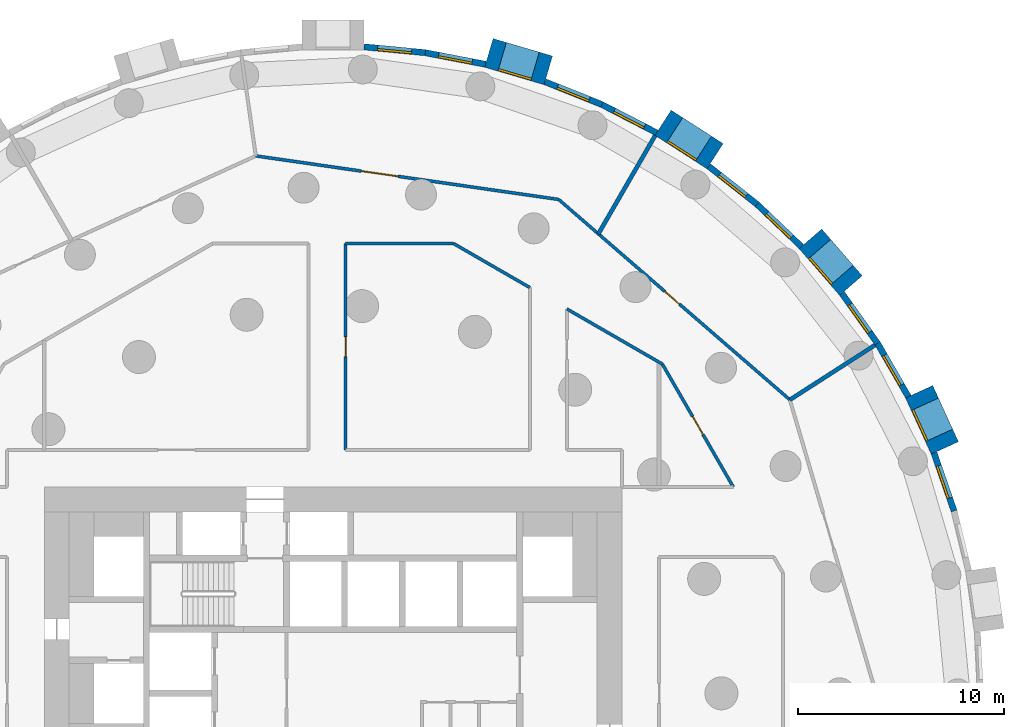
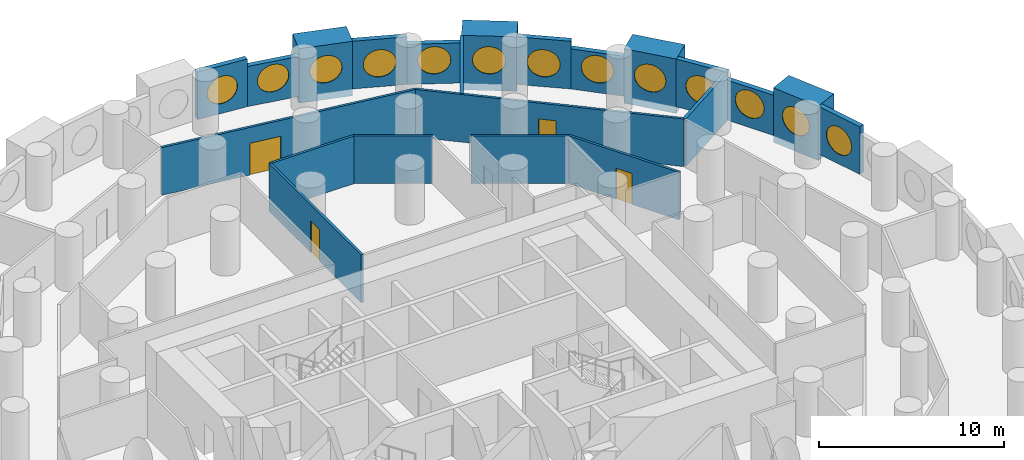
# One storey, part 9 of 11: 22 walls, 13 windows, 4 doors, 17 openings.
"""IFC4 building model written with IfcOpenShell, lengths in metres."""

from ifc_helpers import new_model, si_unit, direction, frame, frame_2d, origin, origin_2d, place, context, subcontext, project, spatial, rectangle, circle, extrude, material, layer, layer_set, type_object, element, fill, save


model = new_model("IFC4")

# Units and contexts
model_context = context("Model", 3, precision=1e-05, world=origin(), true_north=direction((0.0, 1.0)))
body_context = subcontext(model_context, "Body", "Model", "MODEL_VIEW")
ifc_project = project(units=[si_unit("LENGTHUNIT", "METRE"), si_unit("AREAUNIT", "SQUARE_METRE"), si_unit("VOLUMEUNIT", "CUBIC_METRE"), si_unit("PLANEANGLEUNIT", "RADIAN"), si_unit("MASSUNIT", "GRAM", prefix="KILO")], contexts=[model_context])

# Site, building, storey
site_placement = place(None, origin())
site = spatial("IfcSite", under=ifc_project, at=site_placement, CompositionType="ELEMENT")
building_placement = place(site_placement, origin())
building = spatial("IfcBuilding", under=site, at=building_placement, Name="Tracery Tower", CompositionType="ELEMENT")
storey_placement = place(building_placement, frame((0.0, 0.0, 60.60009765625)))
storey = spatial("IfcBuildingStorey", under=building, at=storey_placement, Name="L14", CompositionType="ELEMENT", Elevation=60.60009765625)

# Wall, opening, window
ifc_material_1 = material(Name="Precast concrete C50/60", Category="concrete")
ifc_layer_1 = layer(ifc_material_1, 1.449951171875)
ifc_layer_set_1 = layer_set([ifc_layer_1], Name="Deep-set bay unit 3000 x 3600, slab edge 450")
wall_type_1 = type_object("IfcWallType", Name="Deep-set bay unit 3000 x 3600, slab edge 450", PredefinedType="ELEMENTEDWALL", material=ifc_layer_set_1)
wall_1_placement = place(storey_placement, frame((29.653076171875, 11.89306640625, -0.4501953125), z_axis=(0.0, 0.0, 1.0), x_axis=(-0.415427028395, 0.909626508012, 0.0)))
wall_1 = element("IfcWall", 1, at=wall_1_placement, inside=storey, type_object=wall_type_1, Name="Deep-set bay unit 5 at L14", PredefinedType="ELEMENTEDWALL", context=body_context, shape_type="SweptSolid", body=[
    extrude(rectangle(XDim=3.000244140625, YDim=1.449951171875, at=frame_2d((1.5, 0.0))), origin(), (0.0, 0.0, 1.0), 3.60009765625),
])
opening_1_placement = place(wall_1_placement, frame((1.5, 0.0, 2.0)))
opening_1 = element("IfcOpeningElement", 2, at=opening_1_placement, cuts=wall_1, Name="Opening WN1", PredefinedType="OPENING", context=body_context, shape_type="SweptSolid", body=[
    extrude(circle(Radius=0.9000244140625, at=origin_2d()), frame((0.0, 0.73486328125, 0.0), z_axis=(0.0, -1.0, 0.0), x_axis=(1.0, 0.0, 0.0)), (0.0, 0.0, 1.0), 1.469970703125),
])
ifc_material_2 = material(Name="Aluminium frame with tinted double glazing", Category="aluminium")
window_type = type_object("IfcWindowType", Name="Round window 1800", PartitioningType="SINGLE_PANEL", PredefinedType="WINDOW", material=ifc_material_2)
window_1_placement = place(opening_1_placement, origin())
window_1 = element("IfcWindow", 3, at=window_1_placement, inside=storey, type_object=window_type, Name="Round window 5 at L14", OverallHeight=1.800048828125, OverallWidth=1.800048828125, PartitioningType="SINGLE_PANEL", PredefinedType="WINDOW", context=body_context, shape_type="SweptSolid", body=[
    extrude(circle(Radius=0.9000244140625, at=origin_2d()), frame((0.0, 0.69482421875, 0.0), z_axis=(0.0, -1.0, 0.0), x_axis=(1.0, 0.0, 0.0)), (0.0, 0.0, 1.0), 0.10009765625),
])
fill(opening_1, window_1)

wall_2_placement = place(storey_placement, frame((25.101318359375, 19.765625, -0.4501953125), z_axis=(0.0, 0.0, 1.0), x_axis=(-0.654890259022, 0.75572398972, 0.0)))
wall_2 = element("IfcWall", 4, at=wall_2_placement, inside=storey, type_object=wall_type_1, Name="Deep-set bay unit 8 at L14", PredefinedType="ELEMENTEDWALL", context=body_context, shape_type="SweptSolid", body=[
    extrude(rectangle(XDim=3.0, YDim=1.449951171875, at=frame_2d((1.5, 0.0))), origin(), (0.0, 0.0, 1.0), 3.60009765625),
])
opening_2_placement = place(wall_2_placement, frame((1.5, 0.0, 2.0)))
opening_2 = element("IfcOpeningElement", 5, at=opening_2_placement, cuts=wall_2, Name="Opening WN1", PredefinedType="OPENING", context=body_context, shape_type="SweptSolid", body=[
    extrude(circle(Radius=0.9000244140625, at=origin_2d()), frame((0.0, 0.73486328125, 0.0), z_axis=(0.0, -1.0, 0.0), x_axis=(1.0, 0.0, 0.0)), (0.0, 0.0, 1.0), 1.469970703125),
])
window_2_placement = place(opening_2_placement, origin())
window_2 = element("IfcWindow", 6, at=window_2_placement, inside=storey, type_object=window_type, Name="Round window 8 at L14", OverallHeight=1.800048828125, OverallWidth=1.800048828125, PartitioningType="SINGLE_PANEL", PredefinedType="WINDOW", context=body_context, shape_type="SweptSolid", body=[
    extrude(circle(Radius=0.9000244140625, at=origin_2d()), frame((0.0, 0.69482421875, 0.0), z_axis=(0.0, -1.0, 0.0), x_axis=(1.0, 0.0, 0.0)), (0.0, 0.0, 1.0), 0.10009765625),
])
fill(opening_2, window_2)

wall_3_placement = place(storey_placement, frame((18.515869140625, 26.03662109375, -0.4501953125), z_axis=(0.0, 0.0, 1.0), x_axis=(-0.841223422347, 0.540687667415, 0.0)))
wall_3 = element("IfcWall", 7, at=wall_3_placement, inside=storey, type_object=wall_type_1, Name="Deep-set bay unit 11 at L14", PredefinedType="ELEMENTEDWALL", context=body_context, shape_type="SweptSolid", body=[
    extrude(rectangle(XDim=3.0, YDim=1.449951171875, at=frame_2d((1.5, 0.0))), origin(), (0.0, 0.0, 1.0), 3.60009765625),
])
opening_3_placement = place(wall_3_placement, frame((1.5, 0.0, 2.0)))
opening_3 = element("IfcOpeningElement", 8, at=opening_3_placement, cuts=wall_3, Name="Opening WN1", PredefinedType="OPENING", context=body_context, shape_type="SweptSolid", body=[
    extrude(circle(Radius=0.9000244140625, at=origin_2d()), frame((0.0, 0.73486328125, 0.0), z_axis=(0.0, -1.0, 0.0), x_axis=(1.0, 0.0, 0.0)), (0.0, 0.0, 1.0), 1.469970703125),
])
window_3_placement = place(opening_3_placement, origin())
window_3 = element("IfcWindow", 9, at=window_3_placement, inside=storey, type_object=window_type, Name="Round window 11 at L14", OverallHeight=1.800048828125, OverallWidth=1.800048828125, PartitioningType="SINGLE_PANEL", PredefinedType="WINDOW", context=body_context, shape_type="SweptSolid", body=[
    extrude(circle(Radius=0.9000244140625, at=origin_2d()), frame((0.0, 0.69482421875, 0.0), z_axis=(0.0, -1.0, 0.0), x_axis=(1.0, 0.0, 0.0)), (0.0, 0.0, 1.0), 0.10009765625),
])
fill(opening_3, window_3)

wall_4_placement = place(storey_placement, frame((10.430419921875, 30.198486328125, -0.4501953125), z_axis=(0.0, 0.0, 1.0), x_axis=(-0.959489813418, 0.281743319258, 0.0)))
wall_4 = element("IfcWall", 10, at=wall_4_placement, inside=storey, type_object=wall_type_1, Name="Deep-set bay unit 14 at L14", PredefinedType="ELEMENTEDWALL", context=body_context, shape_type="SweptSolid", body=[
    extrude(rectangle(XDim=3.0, YDim=1.449951171875, at=frame_2d((1.5, 0.0))), origin(), (0.0, 0.0, 1.0), 3.60009765625),
])
opening_4_placement = place(wall_4_placement, frame((1.5, 0.0, 2.0)))
opening_4 = element("IfcOpeningElement", 11, at=opening_4_placement, cuts=wall_4, Name="Opening WN1", PredefinedType="OPENING", context=body_context, shape_type="SweptSolid", body=[
    extrude(circle(Radius=0.9000244140625, at=origin_2d()), frame((0.0, 0.73486328125, 0.0), z_axis=(0.0, -1.0, 0.0), x_axis=(1.0, 0.0, 0.0)), (0.0, 0.0, 1.0), 1.469970703125),
])
window_4_placement = place(opening_4_placement, origin())
window_4 = element("IfcWindow", 12, at=window_4_placement, inside=storey, type_object=window_type, Name="Round window 14 at L14", OverallHeight=1.800048828125, OverallWidth=1.800048828125, PartitioningType="SINGLE_PANEL", PredefinedType="WINDOW", context=body_context, shape_type="SweptSolid", body=[
    extrude(circle(Radius=0.9000244140625, at=origin_2d()), frame((0.0, 0.69482421875, 0.0), z_axis=(0.0, -1.0, 0.0), x_axis=(1.0, 0.0, 0.0)), (0.0, 0.0, 1.0), 0.10009765625),
])
fill(opening_4, window_4)

ifc_material_3 = material(Name="Precast concrete C50/60", Category="concrete")
ifc_layer_2 = layer(ifc_material_3, 0.300048828125)
ifc_layer_set_2 = layer_set([ifc_layer_2], Name="Facade panel 3000 x 2650")
wall_type_2 = type_object("IfcWallType", Name="Facade panel 3000 x 2650", PredefinedType="SOLIDWALL", material=ifc_layer_set_2)
wall_5_placement = place(storey_placement, frame((27.8837890625, 14.3818359375, 0.0), z_axis=(0.0, 0.0, 1.0), x_axis=(-0.500025049464, 0.866010940986, 0.0)))
wall_5 = element("IfcWall", 13, at=wall_5_placement, inside=storey, type_object=wall_type_2, Name="Facade panel 6 at L14", PredefinedType="SOLIDWALL", context=body_context, shape_type="SweptSolid", body=[
    extrude(rectangle(XDim=2.979736328125, YDim=0.300048828125, at=frame_2d((1.48974609375, 0.0))), origin(), (0.0, 0.0, 1.0), 2.64990234375),
])
opening_5_placement = place(wall_5_placement, frame((1.48974609375, 0.0, 1.5498046875)))
opening_5 = element("IfcOpeningElement", 14, at=opening_5_placement, cuts=wall_5, Name="Opening WN1", PredefinedType="OPENING", context=body_context, shape_type="SweptSolid", body=[
    extrude(circle(Radius=0.9000244140625, at=origin_2d()), frame((0.0, 0.159912109375, 0.0), z_axis=(0.0, -1.0, 0.0), x_axis=(1.0, 0.0, 0.0)), (0.0, 0.0, 1.0), 0.320068359375),
])
window_5_placement = place(opening_5_placement, origin())
window_5 = element("IfcWindow", 15, at=window_5_placement, inside=storey, type_object=window_type, Name="Round window 6 at L14", OverallHeight=1.800048828125, OverallWidth=1.800048828125, PartitioningType="SINGLE_PANEL", PredefinedType="WINDOW", context=body_context, shape_type="SweptSolid", body=[
    extrude(circle(Radius=0.9000244140625, at=origin_2d()), frame((0.0, 0.1201171875, 0.0), z_axis=(0.0, -1.0, 0.0), x_axis=(1.0, 0.0, 0.0)), (0.0, 0.0, 1.0), 0.10009765625),
])
fill(opening_5, window_5)

wall_6_placement = place(storey_placement, frame((22.702392578125, 21.655029296875, 0.0), z_axis=(0.0, 0.0, 1.0), x_axis=(-0.723744206617, 0.690068346896, 0.0)))
wall_6 = element("IfcWall", 16, at=wall_6_placement, inside=storey, type_object=wall_type_2, Name="Facade panel 9 at L14", PredefinedType="SOLIDWALL", context=body_context, shape_type="SweptSolid", body=[
    extrude(rectangle(XDim=2.979736328125, YDim=0.300048828125, at=frame_2d((1.48974609375, 0.0))), origin(), (0.0, 0.0, 1.0), 2.64990234375),
])
opening_6_placement = place(wall_6_placement, frame((1.48974609375, 0.0, 1.5498046875)))
opening_6 = element("IfcOpeningElement", 17, at=opening_6_placement, cuts=wall_6, Name="Opening WN1", PredefinedType="OPENING", context=body_context, shape_type="SweptSolid", body=[
    extrude(circle(Radius=0.9000244140625, at=origin_2d()), frame((0.0, 0.159912109375, 0.0), z_axis=(0.0, -1.0, 0.0), x_axis=(1.0, 0.0, 0.0)), (0.0, 0.0, 1.0), 0.320068359375),
])
window_6_placement = place(opening_6_placement, origin())
window_6 = element("IfcWindow", 18, at=window_6_placement, inside=storey, type_object=window_type, Name="Round window 9 at L14", OverallHeight=1.800048828125, OverallWidth=1.800048828125, PartitioningType="SINGLE_PANEL", PredefinedType="WINDOW", context=body_context, shape_type="SweptSolid", body=[
    extrude(circle(Radius=0.9000244140625, at=origin_2d()), frame((0.0, 0.1201171875, 0.0), z_axis=(0.0, -1.0, 0.0), x_axis=(1.0, 0.0, 0.0)), (0.0, 0.0, 1.0), 0.10009765625),
])
fill(opening_6, window_6)

wall_7_placement = place(storey_placement, frame((15.681884765625, 27.173828125, 0.0), z_axis=(0.0, 0.0, 1.0), x_axis=(-0.888819853856, 0.458256770153, 0.0)))
wall_7 = element("IfcWall", 19, at=wall_7_placement, inside=storey, type_object=wall_type_2, Name="Facade panel 12 at L14", PredefinedType="SOLIDWALL", context=body_context, shape_type="SweptSolid", body=[
    extrude(rectangle(XDim=2.979736328125, YDim=0.300048828125, at=frame_2d((1.48974609375, 0.0))), origin(), (0.0, 0.0, 1.0), 2.64990234375),
])
opening_7_placement = place(wall_7_placement, frame((1.48974609375, 0.0, 1.5498046875)))
opening_7 = element("IfcOpeningElement", 20, at=opening_7_placement, cuts=wall_7, Name="Opening WN1", PredefinedType="OPENING", context=body_context, shape_type="SweptSolid", body=[
    extrude(circle(Radius=0.9000244140625, at=origin_2d()), frame((0.0, 0.159912109375, 0.0), z_axis=(0.0, -1.0, 0.0), x_axis=(1.0, 0.0, 0.0)), (0.0, 0.0, 1.0), 0.320068359375),
])
window_7_placement = place(opening_7_placement, origin())
window_7 = element("IfcWindow", 21, at=window_7_placement, inside=storey, type_object=window_type, Name="Round window 12 at L14", OverallHeight=1.800048828125, OverallWidth=1.800048828125, PartitioningType="SINGLE_PANEL", PredefinedType="WINDOW", context=body_context, shape_type="SweptSolid", body=[
    extrude(circle(Radius=0.9000244140625, at=origin_2d()), frame((0.0, 0.1201171875, 0.0), z_axis=(0.0, -1.0, 0.0), x_axis=(1.0, 0.0, 0.0)), (0.0, 0.0, 1.0), 0.10009765625),
])
fill(opening_7, window_7)

wall_8_placement = place(storey_placement, frame((7.390869140625, 30.4912109375, 0.0), z_axis=(0.0, 0.0, 1.0), x_axis=(-0.981924535406, 0.189272836848, 0.0)))
wall_8 = element("IfcWall", 22, at=wall_8_placement, inside=storey, type_object=wall_type_2, Name="Facade panel 15 at L14", PredefinedType="SOLIDWALL", context=body_context, shape_type="SweptSolid", body=[
    extrude(rectangle(XDim=2.979736328125, YDim=0.300048828125, at=frame_2d((1.48974609375, 0.0))), origin(), (0.0, 0.0, 1.0), 2.64990234375),
])
opening_8_placement = place(wall_8_placement, frame((1.48974609375, 0.0, 1.5498046875)))
opening_8 = element("IfcOpeningElement", 23, at=opening_8_placement, cuts=wall_8, Name="Opening WN1", PredefinedType="OPENING", context=body_context, shape_type="SweptSolid", body=[
    extrude(circle(Radius=0.9000244140625, at=origin_2d()), frame((0.0, 0.159912109375, 0.0), z_axis=(0.0, -1.0, 0.0), x_axis=(1.0, 0.0, 0.0)), (0.0, 0.0, 1.0), 0.320068359375),
])
window_8_placement = place(opening_8_placement, origin())
window_8 = element("IfcWindow", 24, at=window_8_placement, inside=storey, type_object=window_type, Name="Round window 15 at L14", OverallHeight=1.800048828125, OverallWidth=1.800048828125, PartitioningType="SINGLE_PANEL", PredefinedType="WINDOW", context=body_context, shape_type="SweptSolid", body=[
    extrude(circle(Radius=0.9000244140625, at=origin_2d()), frame((0.0, 0.1201171875, 0.0), z_axis=(0.0, -1.0, 0.0), x_axis=(1.0, 0.0, 0.0)), (0.0, 0.0, 1.0), 0.10009765625),
])
fill(opening_8, window_8)

ifc_material_4 = material(Name="Precast concrete C50/60", Category="concrete")
ifc_layer_3 = layer(ifc_material_4, 0.300048828125)
ifc_layer_set_3 = layer_set([ifc_layer_3], Name="Facade panel 3000 x 3150")
wall_type_3 = type_object("IfcWallType", Name="Facade panel 3000 x 3150", PredefinedType="SOLIDWALL", material=ifc_layer_set_3)
wall_9_placement = place(storey_placement, frame((30.103515625, 8.839111328125, 0.0), z_axis=(0.0, 0.0, 1.0), x_axis=(-0.327071167136, 0.944999709856, 0.0)))
wall_9 = element("IfcWall", 25, at=wall_9_placement, inside=storey, type_object=wall_type_3, Name="Facade panel 4 at L14", PredefinedType="SOLIDWALL", context=body_context, shape_type="SweptSolid", body=[
    extrude(rectangle(XDim=2.979736328125, YDim=0.300048828125, at=frame_2d((1.48974609375, 0.0))), origin(), (0.0, 0.0, 1.0), 3.14990234375),
])
opening_9_placement = place(wall_9_placement, frame((1.48974609375, 0.0, 1.5498046875)))
opening_9 = element("IfcOpeningElement", 26, at=opening_9_placement, cuts=wall_9, Name="Opening WN1", PredefinedType="OPENING", context=body_context, shape_type="SweptSolid", body=[
    extrude(circle(Radius=0.9000244140625, at=origin_2d()), frame((0.0, 0.159912109375, 0.0), z_axis=(0.0, -1.0, 0.0), x_axis=(1.0, 0.0, 0.0)), (0.0, 0.0, 1.0), 0.320068359375),
])
window_9_placement = place(opening_9_placement, origin())
window_9 = element("IfcWindow", 27, at=window_9_placement, inside=storey, type_object=window_type, Name="Round window 4 at L14", OverallHeight=1.800048828125, OverallWidth=1.800048828125, PartitioningType="SINGLE_PANEL", PredefinedType="WINDOW", context=body_context, shape_type="SweptSolid", body=[
    extrude(circle(Radius=0.9000244140625, at=origin_2d()), frame((0.0, 0.1201171875, 0.0), z_axis=(0.0, -1.0, 0.0), x_axis=(1.0, 0.0, 0.0)), (0.0, 0.0, 1.0), 0.10009765625),
])
fill(opening_9, window_9)

wall_10_placement = place(storey_placement, frame((26.393798828125, 16.96240234375, 0.0), z_axis=(0.0, 0.0, 1.0), x_axis=(-0.580059407678, 0.81457417315, 0.0)))
wall_10 = element("IfcWall", 28, at=wall_10_placement, inside=storey, type_object=wall_type_3, Name="Facade panel 7 at L14", PredefinedType="SOLIDWALL", context=body_context, shape_type="SweptSolid", body=[
    extrude(rectangle(XDim=2.9794921875, YDim=0.300048828125, at=frame_2d((1.48974609375, 0.0))), origin(), (0.0, 0.0, 1.0), 3.14990234375),
])
opening_10_placement = place(wall_10_placement, frame((1.48974609375, 0.0, 1.5498046875)))
opening_10 = element("IfcOpeningElement", 29, at=opening_10_placement, cuts=wall_10, Name="Opening WN1", PredefinedType="OPENING", context=body_context, shape_type="SweptSolid", body=[
    extrude(circle(Radius=0.9000244140625, at=origin_2d()), frame((0.0, 0.159912109375, 0.0), z_axis=(0.0, -1.0, 0.0), x_axis=(1.0, 0.0, 0.0)), (0.0, 0.0, 1.0), 0.320068359375),
])
window_10_placement = place(opening_10_placement, origin())
window_10 = element("IfcWindow", 30, at=window_10_placement, inside=storey, type_object=window_type, Name="Round window 7 at L14", OverallHeight=1.800048828125, OverallWidth=1.800048828125, PartitioningType="SINGLE_PANEL", PredefinedType="WINDOW", context=body_context, shape_type="SweptSolid", body=[
    extrude(circle(Radius=0.9000244140625, at=origin_2d()), frame((0.0, 0.1201171875, 0.0), z_axis=(0.0, -1.0, 0.0), x_axis=(1.0, 0.0, 0.0)), (0.0, 0.0, 1.0), 0.10009765625),
])
fill(opening_10, window_10)

wall_11_placement = place(storey_placement, frame((20.5458984375, 23.711181640625, 0.0), z_axis=(0.0, 0.0, 1.0), x_axis=(-0.786045331304, 0.618168858108, 0.0)))
wall_11 = element("IfcWall", 31, at=wall_11_placement, inside=storey, type_object=wall_type_3, Name="Facade panel 10 at L14", PredefinedType="SOLIDWALL", context=body_context, shape_type="SweptSolid", body=[
    extrude(rectangle(XDim=2.979736328125, YDim=0.300048828125, at=frame_2d((1.48974609375, 0.0))), origin(), (0.0, 0.0, 1.0), 3.14990234375),
])
opening_11_placement = place(wall_11_placement, frame((1.48974609375, 0.0, 1.5498046875)))
opening_11 = element("IfcOpeningElement", 32, at=opening_11_placement, cuts=wall_11, Name="Opening WN1", PredefinedType="OPENING", context=body_context, shape_type="SweptSolid", body=[
    extrude(circle(Radius=0.9000244140625, at=origin_2d()), frame((0.0, 0.159912109375, 0.0), z_axis=(0.0, -1.0, 0.0), x_axis=(1.0, 0.0, 0.0)), (0.0, 0.0, 1.0), 0.320068359375),
])
window_11_placement = place(opening_11_placement, origin())
window_11 = element("IfcWindow", 33, at=window_11_placement, inside=storey, type_object=window_type, Name="Round window 10 at L14", OverallHeight=1.800048828125, OverallWidth=1.800048828125, PartitioningType="SINGLE_PANEL", PredefinedType="WINDOW", context=body_context, shape_type="SweptSolid", body=[
    extrude(circle(Radius=0.9000244140625, at=origin_2d()), frame((0.0, 0.1201171875, 0.0), z_axis=(0.0, -1.0, 0.0), x_axis=(1.0, 0.0, 0.0)), (0.0, 0.0, 1.0), 0.10009765625),
])
fill(opening_11, window_11)

wall_12_placement = place(storey_placement, frame((13.033447265625, 28.539306640625, 0.0), z_axis=(0.0, 0.0, 1.0), x_axis=(-0.928403213937, 0.371574316054, 0.0)))
wall_12 = element("IfcWall", 34, at=wall_12_placement, inside=storey, type_object=wall_type_3, Name="Facade panel 13 at L14", PredefinedType="SOLIDWALL", context=body_context, shape_type="SweptSolid", body=[
    extrude(rectangle(XDim=2.979736328125, YDim=0.300048828125, at=frame_2d((1.48974609375, 0.0))), origin(), (0.0, 0.0, 1.0), 3.14990234375),
])
opening_12_placement = place(wall_12_placement, frame((1.48974609375, 0.0, 1.5498046875)))
opening_12 = element("IfcOpeningElement", 35, at=opening_12_placement, cuts=wall_12, Name="Opening WN1", PredefinedType="OPENING", context=body_context, shape_type="SweptSolid", body=[
    extrude(circle(Radius=0.9000244140625, at=origin_2d()), frame((0.0, 0.159912109375, 0.0), z_axis=(0.0, -1.0, 0.0), x_axis=(1.0, 0.0, 0.0)), (0.0, 0.0, 1.0), 0.320068359375),
])
window_12_placement = place(opening_12_placement, origin())
window_12 = element("IfcWindow", 36, at=window_12_placement, inside=storey, type_object=window_type, Name="Round window 13 at L14", OverallHeight=1.800048828125, OverallWidth=1.800048828125, PartitioningType="SINGLE_PANEL", PredefinedType="WINDOW", context=body_context, shape_type="SweptSolid", body=[
    extrude(circle(Radius=0.9000244140625, at=origin_2d()), frame((0.0, 0.1201171875, 0.0), z_axis=(0.0, -1.0, 0.0), x_axis=(1.0, 0.0, 0.0)), (0.0, 0.0, 1.0), 0.10009765625),
])
fill(opening_12, window_12)

wall_13_placement = place(storey_placement, frame((4.465087890625, 31.05517578125, 0.0), z_axis=(0.0, 0.0, 1.0), x_axis=(-0.995473351551, 0.095041077185, 0.0)))
wall_13 = element("IfcWall", 37, at=wall_13_placement, inside=storey, type_object=wall_type_3, Name="Facade panel 16 at L14", PredefinedType="SOLIDWALL", context=body_context, shape_type="SweptSolid", body=[
    extrude(rectangle(XDim=2.979736328125, YDim=0.300048828125, at=frame_2d((1.48974609375, 0.0))), origin(), (0.0, 0.0, 1.0), 3.14990234375),
])
opening_13_placement = place(wall_13_placement, frame((1.48974609375, 0.0, 1.5498046875)))
opening_13 = element("IfcOpeningElement", 38, at=opening_13_placement, cuts=wall_13, Name="Opening WN1", PredefinedType="OPENING", context=body_context, shape_type="SweptSolid", body=[
    extrude(circle(Radius=0.9000244140625, at=origin_2d()), frame((0.0, 0.159912109375, 0.0), z_axis=(0.0, -1.0, 0.0), x_axis=(1.0, 0.0, 0.0)), (0.0, 0.0, 1.0), 0.320068359375),
])
window_13_placement = place(opening_13_placement, origin())
window_13 = element("IfcWindow", 39, at=window_13_placement, inside=storey, type_object=window_type, Name="Round window 16 at L14", OverallHeight=1.800048828125, OverallWidth=1.800048828125, PartitioningType="SINGLE_PANEL", PredefinedType="WINDOW", context=body_context, shape_type="SweptSolid", body=[
    extrude(circle(Radius=0.9000244140625, at=origin_2d()), frame((0.0, 0.1201171875, 0.0), z_axis=(0.0, -1.0, 0.0), x_axis=(1.0, 0.0, 0.0)), (0.0, 0.0, 1.0), 0.10009765625),
])
fill(opening_13, window_13)

# Wall, opening, door
ifc_material_5 = material(Name="Plasterboard on steel studs", Category="steel")
ifc_layer_4 = layer(ifc_material_5, 0.14990234375)
ifc_layer_set_4 = layer_set([ifc_layer_4], Name="Partition 150 corridor wall")
wall_type_4 = type_object("IfcWallType", Name="Partition 150 corridor wall", PredefinedType="PARTITIONING", material=ifc_layer_set_4)
wall_14_placement = place(storey_placement, frame((15.9599609375, 15.9599609375, 0.0), z_axis=(0.0, 0.0, 1.0), x_axis=(0.499992689227, -0.86602962462, 0.0)))
wall_14 = element("IfcWall", 40, at=wall_14_placement, inside=storey, type_object=wall_type_4, Name="Corridor wall RA4-020", PredefinedType="PARTITIONING", context=body_context, shape_type="SweptSolid", body=[
    extrude(rectangle(XDim=6.8818359375, YDim=0.14990234375, at=frame_2d((3.44091796875, 0.0))), origin(), (0.0, 0.0, 1.0), 3.14990234375),
])
opening_14_placement = place(wall_14_placement, frame((2.94091796875, 0.0, 0.0)))
opening_14 = element("IfcOpeningElement", 41, at=opening_14_placement, cuts=wall_14, Name="Opening RA4-09", PredefinedType="OPENING", context=body_context, shape_type="SweptSolid", body=[
    extrude(rectangle(XDim=1.0, YDim=2.0400390625, at=frame_2d((0.5, 1.02001953125))), frame((0.0, 0.074951171875, 0.0), z_axis=(0.0, -1.0, 0.0), x_axis=(1.0, 0.0, 0.0)), (0.0, 0.0, 1.0), 0.14990234375),
])
ifc_material_6 = material(Name="Timber door leaf", Category="wood")
door_type_1 = type_object("IfcDoorType", Name="Door communal room 1000", OperationType="NOTDEFINED", PredefinedType="DOOR", material=ifc_material_6)
door_1_placement = place(opening_14_placement, origin())
door_1 = element("IfcDoor", 42, at=door_1_placement, inside=storey, type_object=door_type_1, Name="Communal room door RA4-09", OperationType="SINGLE_SWING_LEFT", OverallHeight=2.0400390625, OverallWidth=1.0, PredefinedType="DOOR", context=body_context, shape_type="SweptSolid", body=[
    extrude(rectangle(XDim=1.0, YDim=2.0400390625, at=frame_2d((0.5, 1.02001953125))), frame((0.0, 0.02490234375, 0.0), z_axis=(0.0, -1.0, 0.0), x_axis=(1.0, 0.0, 0.0)), (0.0, 0.0, 1.0), 0.050048828125),
])
fill(opening_14, door_1)

wall_15_placement = place(storey_placement, frame((10.93310546875, 23.940185546875, 0.0), z_axis=(0.0, 0.0, 1.0), x_axis=(0.755770011705, -0.654837147242, 0.0)))
wall_15 = element("IfcWall", 43, at=wall_15_placement, inside=storey, type_object=wall_type_4, Name="Corridor wall RA4-023", PredefinedType="PARTITIONING", context=body_context, shape_type="SweptSolid", body=[
    extrude(rectangle(XDim=14.829833984375, YDim=0.14990234375, at=frame_2d((7.4150390625, 0.0))), origin(), (0.0, 0.0, 1.0), 3.14990234375),
])
opening_15_placement = place(wall_15_placement, frame((6.807373046875, 0.0, 0.0)))
opening_15 = element("IfcOpeningElement", 44, at=opening_15_placement, cuts=wall_15, Name="Opening RA4-14", PredefinedType="OPENING", context=body_context, shape_type="SweptSolid", body=[
    extrude(rectangle(XDim=0.949951171875, YDim=2.10009765625, at=frame_2d((0.47509765625, 1.050048828125))), frame((0.0, 0.074951171875, 0.0), z_axis=(0.0, -1.0, 0.0), x_axis=(1.0, 0.0, 0.0)), (0.0, 0.0, 1.0), 0.14990234375),
])
ifc_material_7 = material(Name="Timber door leaf", Category="wood")
door_type_2 = type_object("IfcDoorType", Name="Door store 950", OperationType="NOTDEFINED", PredefinedType="DOOR", material=ifc_material_7)
door_2_placement = place(opening_15_placement, origin())
door_2 = element("IfcDoor", 45, at=door_2_placement, inside=storey, type_object=door_type_2, Name="Store door RA4-14", OperationType="SINGLE_SWING_RIGHT", OverallHeight=2.10009765625, OverallWidth=0.949951171875, PredefinedType="DOOR", context=body_context, shape_type="SweptSolid", body=[
    extrude(rectangle(XDim=0.949951171875, YDim=2.10009765625, at=frame_2d((0.47509765625, 1.050048828125))), frame((0.0, 0.02490234375, 0.0), z_axis=(0.0, -1.0, 0.0), x_axis=(1.0, 0.0, 0.0)), (0.0, 0.0, 1.0), 0.050048828125),
])
fill(opening_15, door_2)

# Walls
wall_16_placement = place(storey_placement, frame((5.842041015625, 21.802001953125, 0.0), z_axis=(0.0, 0.0, 1.0), x_axis=(0.865983505205, -0.500072563448, 0.0)))
element("IfcWall", 46, at=wall_16_placement, inside=storey, type_object=wall_type_4, Name="Corridor wall RA4-030", PredefinedType="PARTITIONING", context=body_context, shape_type="SweptSolid", body=[
    extrude(rectangle(XDim=4.265380859375, YDim=0.14990234375, at=frame_2d((2.1328125, 0.0))), origin(), (0.0, 0.0, 1.0), 3.14990234375),
])
wall_17_placement = place(storey_placement, frame((0.60791015625, 21.802001953125, 0.0), z_axis=(0.0, 0.0, 1.0), x_axis=(1.0, 0.0, 0.0)))
element("IfcWall", 47, at=wall_17_placement, inside=storey, type_object=wall_type_4, Name="Corridor wall RA4-031", PredefinedType="PARTITIONING", context=body_context, shape_type="SweptSolid", body=[
    extrude(rectangle(XDim=5.234130859375, YDim=0.14990234375, at=frame_2d((2.6171875, 0.0))), origin(), (0.0, 0.0, 1.0), 3.14990234375),
])

# Wall, opening, door
wall_18_placement = place(storey_placement, frame((0.60791015625, 11.800048828125, 0.0), z_axis=(0.0, 0.0, 1.0), x_axis=(0.0, 1.0, 0.0)))
wall_18 = element("IfcWall", 48, at=wall_18_placement, inside=storey, type_object=wall_type_4, Name="Corridor wall RA4-032", PredefinedType="PARTITIONING", context=body_context, shape_type="SweptSolid", body=[
    extrude(rectangle(XDim=10.001953125, YDim=0.14990234375, at=frame_2d((5.0009765625, 0.0))), origin(), (0.0, 0.0, 1.0), 3.14990234375),
])
opening_16_placement = place(wall_18_placement, frame((4.52587890625, 0.0, 0.0)))
opening_16 = element("IfcOpeningElement", 49, at=opening_16_placement, cuts=wall_18, Name="Opening RA4-02", PredefinedType="OPENING", context=body_context, shape_type="SweptSolid", body=[
    extrude(rectangle(XDim=0.949951171875, YDim=2.10009765625, at=frame_2d((0.47509765625, 1.050048828125))), frame((0.0, 0.074951171875, 0.0), z_axis=(0.0, -1.0, 0.0), x_axis=(1.0, 0.0, 0.0)), (0.0, 0.0, 1.0), 0.14990234375),
])
door_3_placement = place(opening_16_placement, origin())
door_3 = element("IfcDoor", 50, at=door_3_placement, inside=storey, type_object=door_type_2, Name="Store door RA4-02", OperationType="SINGLE_SWING_RIGHT", OverallHeight=2.10009765625, OverallWidth=0.949951171875, PredefinedType="DOOR", context=body_context, shape_type="SweptSolid", body=[
    extrude(rectangle(XDim=0.949951171875, YDim=2.10009765625, at=frame_2d((0.47509765625, 1.050048828125))), frame((0.0, 0.02490234375, 0.0), z_axis=(0.0, -1.0, 0.0), x_axis=(1.0, 0.0, 0.0)), (0.0, 0.0, 1.0), 0.050048828125),
])
fill(opening_16, door_3)

# Wall
wall_19_placement = place(storey_placement, frame((11.3359375, 18.6298828125, 0.0), z_axis=(0.0, 0.0, 1.0), x_axis=(0.866056911224, -0.499945423543, 0.0)))
element("IfcWall", 51, at=wall_19_placement, inside=storey, type_object=wall_type_4, Name="Corridor wall RA4-033", PredefinedType="PARTITIONING", context=body_context, shape_type="SweptSolid", body=[
    extrude(rectangle(XDim=5.33935546875, YDim=0.14990234375, at=frame_2d((2.669677734375, 0.0))), origin(), (0.0, 0.0, 1.0), 3.14990234375),
])

# Wall, opening, door
wall_20_placement = place(storey_placement, frame((-3.74609375, 26.051025390625, 0.0), z_axis=(0.0, 0.0, 1.0), x_axis=(0.98981637125, -0.142350100825, 0.0)))
wall_20 = element("IfcWall", 52, at=wall_20_placement, inside=storey, type_object=wall_type_4, Name="Corridor wall RA4-035", PredefinedType="PARTITIONING", context=body_context, shape_type="SweptSolid", body=[
    extrude(rectangle(XDim=14.830322265625, YDim=0.14990234375, at=frame_2d((7.4150390625, 0.0))), origin(), (0.0, 0.0, 1.0), 3.14990234375),
])
opening_17_placement = place(wall_20_placement, frame((5.1650390625, 0.0, 0.0)))
opening_17 = element("IfcOpeningElement", 53, at=opening_17_placement, cuts=wall_20, Name="Opening RA4-15", PredefinedType="OPENING", context=body_context, shape_type="SweptSolid", body=[
    extrude(rectangle(XDim=1.800048828125, YDim=2.10009765625, at=frame_2d((0.89990234375, 1.050048828125))), frame((0.0, 0.074951171875, 0.0), z_axis=(0.0, -1.0, 0.0), x_axis=(1.0, 0.0, 0.0)), (0.0, 0.0, 1.0), 0.14990234375),
])
ifc_material_8 = material(Name="Timber door leaf", Category="wood")
door_type_3 = type_object("IfcDoorType", Name="Door double lounge 1800", OperationType="NOTDEFINED", PredefinedType="DOOR", material=ifc_material_8)
door_4_placement = place(opening_17_placement, origin())
door_4 = element("IfcDoor", 54, at=door_4_placement, inside=storey, type_object=door_type_3, Name="Double lounge door RA4-15", OperationType="DOUBLE_DOOR_SINGLE_SWING", OverallHeight=2.10009765625, OverallWidth=1.800048828125, PredefinedType="DOOR", context=body_context, shape_type="SweptSolid", body=[
    extrude(rectangle(XDim=1.800048828125, YDim=2.10009765625, at=frame_2d((0.89990234375, 1.050048828125))), frame((0.0, 0.02490234375, 0.0), z_axis=(0.0, -1.0, 0.0), x_axis=(1.0, 0.0, 0.0)), (0.0, 0.0, 1.0), 0.050048828125),
])
fill(opening_17, door_4)

# Walls
ifc_material_9 = material(Name="Plasterboard on steel studs", Category="steel")
ifc_layer_5 = layer(ifc_material_9, 0.199951171875)
ifc_layer_set_5 = layer_set([ifc_layer_5], Name="Partition 200 compartment wall")
wall_type_5 = type_object("IfcWallType", Name="Partition 200 compartment wall", PredefinedType="PARTITIONING", material=ifc_layer_set_5)
wall_21_placement = place(storey_placement, frame((22.14111328125, 14.22900390625, 0.0), z_axis=(0.0, 0.0, 1.0), x_axis=(0.841265781699, 0.540621757371, 0.0)))
element("IfcWall", 55, at=wall_21_placement, inside=storey, type_object=wall_type_5, Name="Compartment wall RA4-065", PredefinedType="PARTITIONING", context=body_context, shape_type="SweptSolid", body=[
    extrude(rectangle(XDim=4.90576171875, YDim=0.199951171875, at=frame_2d((2.452880859375, 0.0))), origin(), (0.0, 0.0, 1.0), 3.14990234375),
])
wall_22_placement = place(storey_placement, frame((12.85888671875, 22.27197265625, 0.0), z_axis=(0.0, 0.0, 1.0), x_axis=(0.499968073049, 0.866043836033, 0.0)))
element("IfcWall", 56, at=wall_22_placement, inside=storey, type_object=wall_type_5, Name="Compartment wall RA4-067", PredefinedType="PARTITIONING", context=body_context, shape_type="SweptSolid", body=[
    extrude(rectangle(XDim=5.506591796875, YDim=0.199951171875, at=frame_2d((2.75341796875, 0.0))), origin(), (0.0, 0.0, 1.0), 3.14990234375),
])

save(model, "model.ifc")
